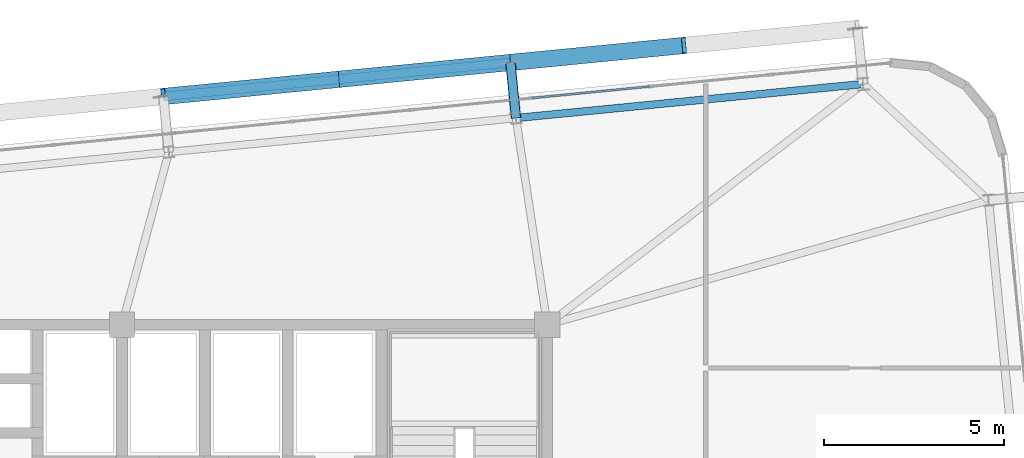
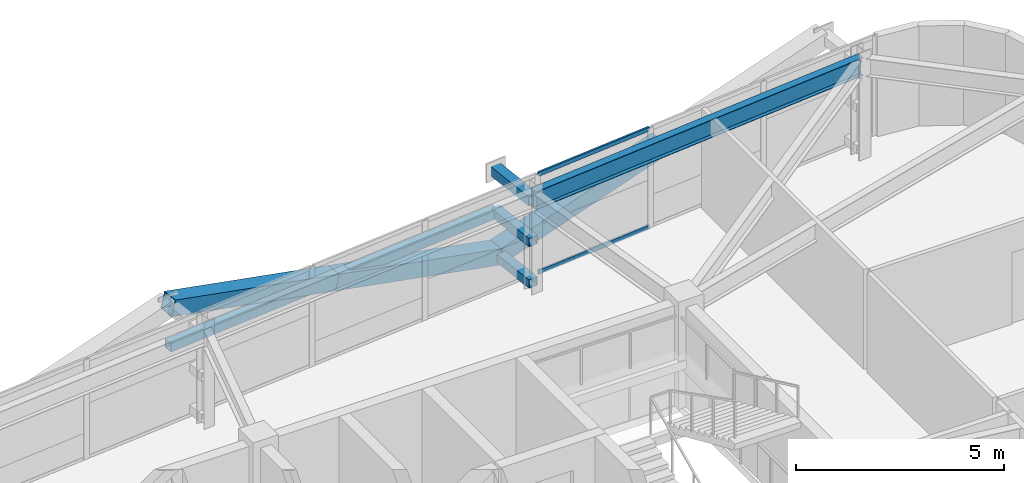
# One storey, part 32 of 52: 9 members, 1 beam, 1 element without a shape of its own.
"""IFC4 building model written with IfcOpenShell, lengths in metres."""

from ifc_helpers import new_model, si_unit, direction, frame, origin, origin_2d, place, context, subcontext, project, spatial, hollow_rectangle, i_section, extrude, source, transform, mapped, material, layer, layer_set, material_profile, profile_set, type_object, element, aggregate, save


model = new_model("IFC4")

# Units and contexts
model_context = context("Model", 3, precision=1e-05, world=origin(), true_north=direction((0.0, 1.0)))
body_context = subcontext(model_context, "Body", "Model", "MODEL_VIEW")
ifc_project = project(units=[si_unit("LENGTHUNIT", "METRE"), si_unit("AREAUNIT", "SQUARE_METRE"), si_unit("VOLUMEUNIT", "CUBIC_METRE"), si_unit("PLANEANGLEUNIT", "RADIAN"), si_unit("MASSUNIT", "GRAM", prefix="KILO")], contexts=[model_context])

# Site, building, storey
site_placement = place(None, origin())
site = spatial("IfcSite", under=ifc_project, at=site_placement, CompositionType="ELEMENT")
building_placement = place(site_placement, origin())
building = spatial("IfcBuilding", under=site, at=building_placement, Name="Taldren Reach Tower", CompositionType="ELEMENT")
storey_placement = place(building_placement, frame((0.0, 0.0, 74.550048828125)))
storey = spatial("IfcBuildingStorey", under=building, at=storey_placement, Name="L22", CompositionType="ELEMENT", Elevation=74.550048828125)

# Members
ifc_material_1 = material(Name="Steel Gr 450 (C450L0)", Category="steel")
ifc_material_profile_1 = material_profile(ifc_material_1, hollow_rectangle(XDim=0.27490234375, YDim=0.27490234375, WallThickness=0.00927734375, at=origin_2d()), Name="275x275x9.3SHS")
ifc_profile_set_1 = profile_set([ifc_material_profile_1], Name="Steel Gr 450 (C450L0)")
member_type_1 = type_object("IfcMemberType", Name="MB-TIE273", PredefinedType="STRUT", material=ifc_profile_set_1)
shared_shape_1 = source(origin(), body_context, "Body", "SweptSolid", [
    extrude(hollow_rectangle(XDim=0.27490234375, YDim=0.27490234375, WallThickness=0.00927734375, at=origin_2d()), origin(), (0.0, 0.0, 1.0), 1.5498046875),
])
member_1_placement = place(storey_placement, frame((50.132080078125, 37.7353515625, 2.64990234375), z_axis=(-0.097663201064, 0.995219523099, 0.0), x_axis=(-0.995219523099, -0.097663201064, 0.0)))
element("IfcMember", 1, at=member_1_placement, inside=storey, type_object=member_type_1, Name="Exoskeleton diaphragm tie strut B2-N5 L22", PredefinedType="STRUT", context=body_context, shape_type="MappedRepresentation", body=[
    mapped(shared_shape_1, transform((0.0, 0.0, 0.0), scale=1.0)),
])
ifc_material_2 = material(Name="Steel Gr 350 (C350L0)", Category="steel")
ifc_material_profile_2 = material_profile(ifc_material_2, hollow_rectangle(XDim=0.25, YDim=0.25, WallThickness=0.010009765625, at=origin_2d()), Name="250x250x10.0SHS")
ifc_profile_set_2 = profile_set([ifc_material_profile_2], Name="Steel Gr 350 (C350L0)")
member_type_2 = type_object("IfcMemberType", Name="MB-POST250", PredefinedType="POST", material=ifc_profile_set_2)
shared_shape_2 = source(origin(), body_context, "Body", "SweptSolid", [
    extrude(hollow_rectangle(XDim=0.25, YDim=0.25, WallThickness=0.010009765625, at=origin_2d()), origin(), (0.0, 0.0, 1.0), 1.5498046875),
])
for number, where, z_axis, x_axis, name in (
    (2, (50.132080078125, 37.7353515625, 0.219970703125), (-0.097663201064, 0.995219523099, 0.0), (-0.995219523099, -0.097663201064, 0.0), "Exoskeleton base diaphragm tie strut B2-N5 L22"),
    (3, (50.132080078125, 37.7353515625, 1.43505859375), (-0.097663201064, 0.995219523099, 0.0), (-0.995219523099, -0.097663201064, 0.0), "Exoskeleton mid-tier diaphragm tie B2-N5 L22"),
):
    element("IfcMember", number, at=place(storey_placement, frame(where, z_axis=z_axis, x_axis=x_axis)), inside=storey, type_object=member_type_2, Name=name, PredefinedType="POST", context=body_context, shape_type="MappedRepresentation", body=[
        mapped(shared_shape_2, transform((0.0, 0.0, 0.0), scale=1.0)),
    ])

# Beam
ifc_material_3 = material(Name="Steel Gr 350 (350PLUS)", Category="steel")
ifc_material_profile_3 = material_profile(ifc_material_3, i_section(OverallWidth=0.208984375, OverallDepth=0.528076171875, WebThickness=0.009521484375, FlangeThickness=0.01318359375, at=origin_2d()), Name="530UB82.0")
ifc_profile_set_3 = profile_set([ifc_material_profile_3], Name="Steel Gr 350 (350PLUS)")
beam_type = type_object("IfcBeamType", Name="SP-UB530B", PredefinedType="SPANDREL", material=ifc_profile_set_3)
shared_shape_3 = source(origin(), body_context, "Body", "SweptSolid", [
    extrude(i_section(OverallWidth=0.208984375, OverallDepth=0.528076171875, WebThickness=0.009521484375, FlangeThickness=0.01318359375, at=origin_2d()), origin(), (0.0, 0.0, 1.0), 9.679931640625),
])
beam_placement = place(storey_placement, frame((59.765869140625, 38.679931640625, 2.666015625), z_axis=(-0.995227612658, -0.097580730699, 0.0), x_axis=(0.097580730699, -0.995227612658, 0.0)))
element("IfcBeam", 4, at=beam_placement, inside=storey, type_object=beam_type, Name="Perimeter spandrel B2 N6-N5 L22", PredefinedType="SPANDREL", context=body_context, shape_type="MappedRepresentation", body=[
    mapped(shared_shape_3, transform((0.0, 0.0, 0.0), scale=1.0)),
])

# Members
ifc_material_profile_4 = material_profile(ifc_material_1, hollow_rectangle(XDim=0.4599609375, YDim=0.4599609375, WallThickness=0.01611328125, at=origin_2d()), Name="460x460x16.0SHS")
ifc_profile_set_4 = profile_set([ifc_material_profile_4], Name="Steel Gr 450 (C450L0)")
member_type_3 = type_object("IfcMemberType", Name="MB-EXO457", PredefinedType="BRACE", material=ifc_profile_set_4)
shared_shape_4 = source(origin(), body_context, "Body", "SweptSolid", [
    extrude(hollow_rectangle(XDim=0.4599609375, YDim=0.4599609375, WallThickness=0.01611328125, at=origin_2d()), origin(), (0.0, 0.0, 1.0), 4.990234375),
])
for number, where, z_axis, x_axis, name in (
    (5, (49.980712890625, 39.27783203125, 0.219970703125), (-0.965275526283, -0.094619506732, 0.243496010862), (0.097555749586, -0.995230061706, 0.0), "Exoskeleton Diagrid Brace B2-N4 L22"),
    (6, (45.163818359375, 38.8056640625, 1.43505859375), (-0.965282554799, -0.094669120301, 0.243448859234), (0.097605711627, -0.995225162995, 0.0), "Exoskeleton Diagrid Brace B2-N4 L22"),
    (7, (49.980712890625, 39.27783203125, 0.219970703125), (0.965271056716, 0.094667992638, 0.243494883389), (-0.097605711627, 0.995225162995, 0.0), "Exoskeleton Diagrid Brace B2-N5 L22"),
):
    element("IfcMember", number, at=place(storey_placement, frame(where, z_axis=z_axis, x_axis=x_axis)), inside=storey, type_object=member_type_3, Name=name, PredefinedType="BRACE", context=body_context, shape_type="MappedRepresentation", body=[
        mapped(shared_shape_4, transform((0.0, 0.0, 0.0), scale=1.0)),
    ])
shared_shape_5 = source(origin(), body_context, "Body", "SweptSolid", [
    extrude(hollow_rectangle(XDim=0.25, YDim=0.25, WallThickness=0.010009765625, at=origin_2d()), origin(), (0.0, 0.0, 1.0), 9.679931640625),
])
member_2_placement = place(storey_placement, frame((40.346923828125, 38.333251953125, 1.43505859375), z_axis=(0.995227612658, 0.097580730699, 0.0), x_axis=(-0.097580730699, 0.995227612658, 0.0)))
element("IfcMember", 8, at=member_2_placement, inside=storey, type_object=member_type_2, Name="Exoskeleton mid-height ring chord B2-N4 L22", PredefinedType="POST", context=body_context, shape_type="MappedRepresentation", body=[
    mapped(shared_shape_5, transform((0.0, 0.0, 0.0), scale=1.0)),
])

# Curtain wall, members
ifc_material_4 = material(Name="Aluminium and Low-E Glass Unitised System", Category="aluminium")
ifc_layer = layer(ifc_material_4, 0.159912109375)
ifc_layer_set = layer_set([ifc_layer], Name="Aluminium and Low-E Glass Unitised System")
curtain_wall_type = type_object("IfcCurtainWallType", Name="CW-SYS-3", PredefinedType="NOTDEFINED", material=ifc_layer_set)
curtain_wall_placement = place(storey_placement, origin())
curtain_wall = element("IfcCurtainWall", 9, at=curtain_wall_placement, inside=storey, type_object=curtain_wall_type, Name="Unitised curtain wall CW-L22-N", PredefinedType="NOTDEFINED")
ifc_material_5 = material(Name="Anodised Aluminium 6063-T6", Category="aluminium")
ifc_material_profile_5 = material_profile(ifc_material_5, hollow_rectangle(XDim=0.054931640625, YDim=0.1201171875, WallThickness=0.0029296875, at=origin_2d()), Name="ALU-120x55x3RHS")
ifc_profile_set_5 = profile_set([ifc_material_profile_5], Name="Anodised Aluminium 6063-T6")
member_type_4 = type_object("IfcMemberType", Name="CW-TRN-135", PredefinedType="USERDEFINED", material=ifc_profile_set_5)
shared_shape_6 = source(origin(), body_context, "Body", "SweptSolid", [
    extrude(hollow_rectangle(XDim=0.054931640625, YDim=0.1201171875, WallThickness=0.0029296875, at=origin_2d()), origin(), (0.0, 0.0, 1.0), 3.268310546875),
])
member_3_placement = place(storey_placement, frame((53.844970703125, 38.61181640625, 0.02734375), z_axis=(-0.99522980512, -0.097558367146, 0.0), x_axis=(0.097558367146, -0.99522980512, 0.0)))
member_3 = element("IfcMember", 10, at=member_3_placement, type_object=member_type_4, Name="CW-3 transom 3.1", ObjectType="TRANSOM", PredefinedType="USERDEFINED", context=body_context, shape_type="MappedRepresentation", body=[
    mapped(shared_shape_6, transform((0.0, 0.0, 0.0), scale=1.0)),
])
member_4_placement = place(storey_placement, frame((53.844970703125, 38.61181640625, 2.90234375), z_axis=(-0.99522980512, -0.097558367146, 0.0), x_axis=(0.097558367146, -0.99522980512, 0.0)))
member_4 = element("IfcMember", 11, at=member_4_placement, type_object=member_type_4, Name="CW-3 transom 3.2", ObjectType="TRANSOM", PredefinedType="USERDEFINED", context=body_context, shape_type="MappedRepresentation", body=[
    mapped(shared_shape_6, transform((0.0, 0.0, 0.0), scale=1.0)),
])
aggregate(curtain_wall, [member_3, member_4])

save(model, "model.ifc")
